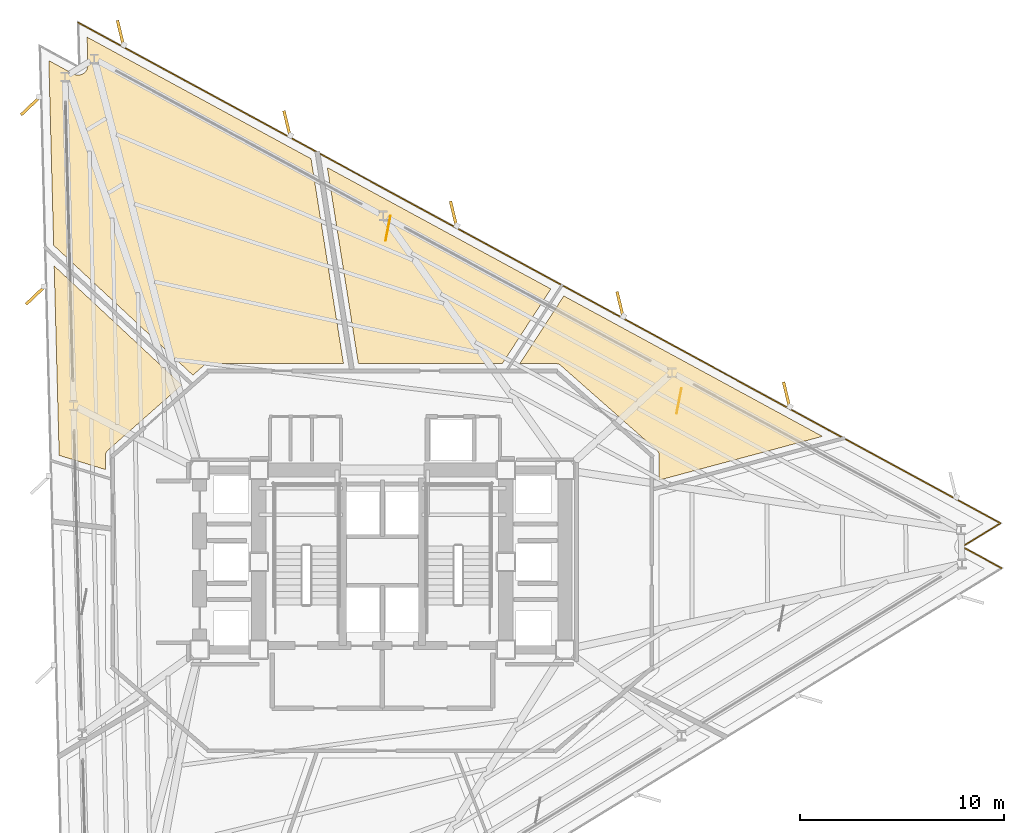
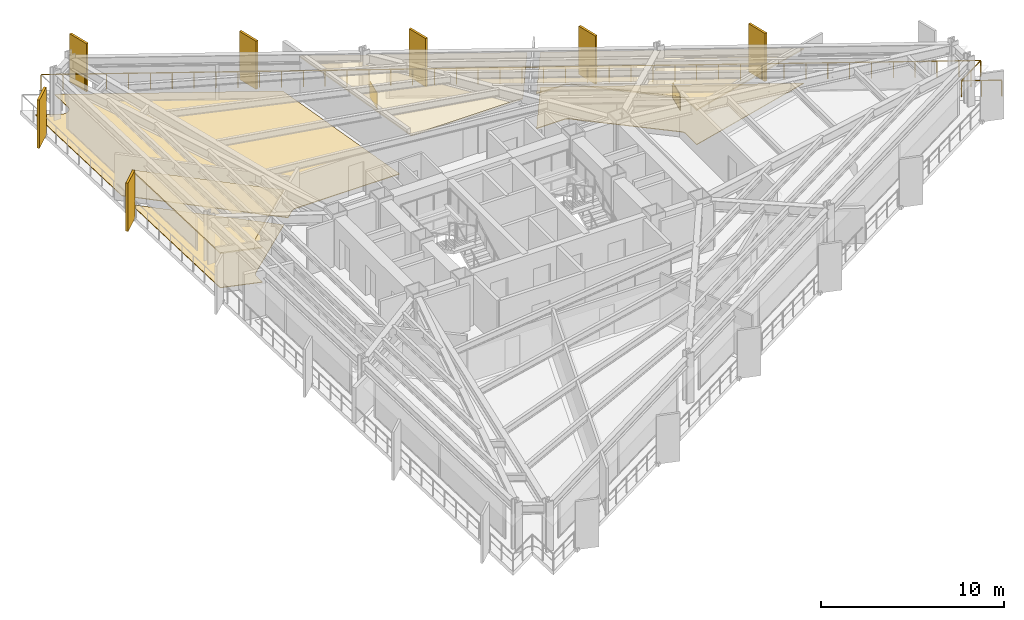
# One storey, part 14 of 14: 8 coverings, 7 shading devices, 1 railing.
"""IFC4 building model written with IfcOpenShell, lengths in metres."""

import ifcopenshell
import ifcopenshell.guid

model = None  # the IFC model being written
_history = None  # IfcOwnerHistory: only IFC2X3 demands one
_inside = {}  # id of a spatial element -> (the spatial element, [elements in it])
_under = {}  # id of a project, library or spatial element -> (it, [spatial elements below it])
_declared = {}  # id of a project -> (the project, [libraries it declares])
_typed = {}  # id of a type object -> (the type object, [elements of that type])
_made_of = {}  # id of a material, layer set ... -> (it, [elements and type objects made of it])


def new_model(schema):
    """Start an empty IFC model of exactly this schema.

    Asked for "IFC4X3", IfcOpenShell would pick the latest addendum, in which some entities
    have other attributes; the version numbers below select the first issue.
    IFC2X3 requires an IfcOwnerHistory on every rooted entity: one is made here for all.
    """
    global model, _history
    if schema == "IFC4X3":
        model = ifcopenshell.file(schema_version=(4, 3, 0, 0))
    else:
        model = ifcopenshell.file(schema=schema)
    _inside.clear()
    _under.clear()
    _declared.clear()
    _typed.clear()
    _made_of.clear()
    _history = None
    if model.schema == "IFC2X3":
        org = make("IfcOrganization", Name="unknown")
        user = make(
            "IfcPersonAndOrganization",
            ThePerson=make("IfcPerson", FamilyName="unknown"),
            TheOrganization=org,
        )
        app = make(
            "IfcApplication",
            ApplicationDeveloper=org,
            Version="unknown",
            ApplicationFullName="unknown",
            ApplicationIdentifier="unknown",
        )
        _history = make(
            "IfcOwnerHistory",
            OwningUser=user,
            OwningApplication=app,
            ChangeAction="ADDED",
            CreationDate=0,
        )
    return model


def make(cls, **values):
    """One entity of the class cls with the attributes given. An attribute that is None is left unset."""
    return model.create_entity(
        cls, **{name: value for name, value in values.items() if value is not None}
    )


def rooted(cls, **values):
    """An entity with a GlobalId (a new one), such as an element, a storey or a relation."""
    return make(cls, GlobalId=ifcopenshell.guid.new(), OwnerHistory=_history, **values)


def si_unit(unit_type, name, prefix=None):
    """IfcSIUnit, for example si_unit("LENGTHUNIT", "METRE", prefix="MILLI")."""
    return make("IfcSIUnit", UnitType=unit_type, Prefix=prefix, Name=name)


def assignment(units):
    """IfcUnitAssignment: the units of a project."""
    return None if units is None else make("IfcUnitAssignment", Units=units)


def point(xyz):
    """IfcCartesianPoint."""
    return None if xyz is None else make("IfcCartesianPoint", Coordinates=xyz)


def direction(xyz):
    """IfcDirection."""
    return None if xyz is None else make("IfcDirection", DirectionRatios=xyz)


def frame(location, z_axis=None, x_axis=None):
    """IfcAxis2Placement3D, a coordinate frame: its origin and axes. An axis left out is left unset."""
    return make(
        "IfcAxis2Placement3D",
        Location=point(location),
        Axis=direction(z_axis),
        RefDirection=direction(x_axis),
    )


def frame_2d(location, x_axis=None):
    """IfcAxis2Placement2D, a coordinate frame in the plane: its origin and x axis."""
    return make(
        "IfcAxis2Placement2D", Location=point(location), RefDirection=direction(x_axis)
    )


def origin():
    """The frame at (0, 0, 0) with its axes left unset."""
    return frame((0.0, 0.0, 0.0))


def origin_2d():
    """The frame at (0, 0) in the plane with its x axis left unset."""
    return frame_2d((0.0, 0.0))


def place(relative_to, where):
    """IfcLocalPlacement: puts the frame where relative to a parent placement (None: the world)."""
    return make(
        "IfcLocalPlacement", PlacementRelTo=relative_to, RelativePlacement=where
    )


def context(
    kind, dimensions, precision=None, world=None, true_north=None, identifier=None
):
    """IfcGeometricRepresentationContext, for example the 3D "Model" context."""
    return make(
        "IfcGeometricRepresentationContext",
        ContextIdentifier=identifier,
        ContextType=kind,
        CoordinateSpaceDimension=dimensions,
        Precision=precision,
        WorldCoordinateSystem=world,
        TrueNorth=true_north,
    )


def subcontext(parent, identifier, kind, view, scale=None):
    """IfcGeometricRepresentationSubContext, for example "Body" below "Model"."""
    return make(
        "IfcGeometricRepresentationSubContext",
        ContextIdentifier=identifier,
        ContextType=kind,
        ParentContext=parent,
        TargetScale=scale,
        TargetView=view,
    )


def project(units=None, contexts=None):
    """IfcProject with its units and contexts."""
    return rooted(
        "IfcProject",
        Name="project",
        RepresentationContexts=contexts,
        UnitsInContext=assignment(units),
    )


def spatial(cls, under=None, at=None, **own):
    """A site, building, storey or space (cls), placed at a placement, below another one or the project."""
    s = rooted(cls, ObjectPlacement=at, **own)
    if under is not None:
        _under.setdefault(under.id(), (under, []))[1].append(s)
    return s


def polyline(points):
    """IfcPolyline through the points."""
    return make("IfcPolyline", Points=[point(p) for p in points])


def profile(cls, at=None, kind="AREA", **sizes):
    """A parametric profile (cls). Its sizes go by their IFC names, for example OverallWidth=200.0."""
    return make(cls, ProfileType=kind, Position=at, **sizes)


def rectangle(**sizes):
    """IfcRectangleProfileDef."""
    return profile("IfcRectangleProfileDef", **sizes)


def outline(outer, holes=None, kind="AREA"):
    """IfcArbitraryClosedProfileDef: a profile drawn as a closed curve; with holes, ...WithVoids."""
    if holes is None:
        return make("IfcArbitraryClosedProfileDef", ProfileType=kind, OuterCurve=outer)
    return make(
        "IfcArbitraryProfileDefWithVoids",
        ProfileType=kind,
        OuterCurve=outer,
        InnerCurves=holes,
    )


def extrude(swept, where, along, depth):
    """IfcExtrudedAreaSolid: the profile swept, set in the frame where, extruded along a direction by depth."""
    return make(
        "IfcExtrudedAreaSolid",
        SweptArea=swept,
        Position=where,
        ExtrudedDirection=direction(along),
        Depth=depth,
    )


def shape(context_of_items, identifier, shape_type, items):
    """IfcShapeRepresentation: the items that make up one representation, for example the "Body"."""
    return make(
        "IfcShapeRepresentation",
        ContextOfItems=context_of_items,
        RepresentationIdentifier=identifier,
        RepresentationType=shape_type,
        Items=items,
    )


def material(Name=None, Category=None):
    """IfcMaterial."""
    return make("IfcMaterial", Name=Name, Category=Category)


def layer(
    of_material, thickness, ventilated=None, Name=None, Category=None, Priority=None
):
    """IfcMaterialLayer: one layer of a wall or slab, of a material (None: an air gap)."""
    return make(
        "IfcMaterialLayer",
        Material=of_material,
        LayerThickness=thickness,
        IsVentilated=ventilated,
        Name=Name,
        Category=Category,
        Priority=Priority,
    )


def layer_set(layers, Name=None):
    """IfcMaterialLayerSet."""
    return make("IfcMaterialLayerSet", MaterialLayers=layers, LayerSetName=Name)


def made_of(thing, what):
    """Note that an element or type object is made of a material, layer set ...; save() writes the relation."""
    if what is not None:
        _made_of.setdefault(what.id(), (what, []))[1].append(thing)
    return thing


def type_object(cls, material=None, **own):
    """A type object (cls), such as IfcWallType, which elements share."""
    return made_of(rooted(cls, **own), material)


def element(
    cls,
    number,
    at=None,
    inside=None,
    cuts=None,
    type_object=None,
    material=None,
    context=None,
    identifier="Body",
    shape_type=None,
    held_by="IfcProductDefinitionShape",
    body=None,
    shapes=None,
    **own,
):
    """One element of the class cls, such as IfcWall. Its Tag is "e" and its number.

    at: its placement. inside: the storey or other place that contains it. cuts: it is an
    opening in that element (IfcRelVoidsElement). A single representation is given by context,
    identifier, shape_type and body (its items); several are given by shapes. held_by: the class
    of the entity that holds the representations. save() writes the other relations.
    """
    e = rooted(cls, Tag="e%d" % number, ObjectPlacement=at, **own)
    if body is not None:
        shapes = [shape(context, identifier, shape_type, body)]
    if shapes is not None:
        e.Representation = make(held_by, Representations=shapes)
    if inside is not None:
        _inside.setdefault(inside.id(), (inside, []))[1].append(e)
    if cuts is not None:
        rooted(
            "IfcRelVoidsElement", RelatingBuildingElement=cuts, RelatedOpeningElement=e
        )
    if type_object is not None:
        _typed.setdefault(type_object.id(), (type_object, []))[1].append(e)
    return made_of(e, material)


def aggregate(whole, parts):
    """IfcRelAggregates: a whole, such as a stair, and the parts it consists of."""
    return rooted("IfcRelAggregates", RelatingObject=whole, RelatedObjects=parts)


def save(model, path):
    """Write the relations noted so far, then the file.

    IfcRelAggregates (storeys below a building ...), IfcRelContainedInSpatialStructure (elements
    in a storey), IfcRelDefinesByType, IfcRelAssociatesMaterial and IfcRelDeclares: one each for
    every whole, place, type object, material and project.
    """
    for whole, parts in _under.values():
        aggregate(whole, parts)
    for where, things in _inside.values():
        rooted(
            "IfcRelContainedInSpatialStructure",
            RelatedElements=things,
            RelatingStructure=where,
        )
    for kind, things in _typed.values():
        rooted("IfcRelDefinesByType", RelatedObjects=things, RelatingType=kind)
    for what, things in _made_of.values():
        rooted("IfcRelAssociatesMaterial", RelatedObjects=things, RelatingMaterial=what)
    for by, libraries in _declared.values():
        rooted("IfcRelDeclares", RelatingContext=by, RelatedDefinitions=libraries)
    model.write(path)


model = new_model("IFC4")

# Units and contexts
model_context = context("Model", 3, precision=1e-05, world=origin(), true_north=direction((0.0, 1.0)))
body_context = subcontext(model_context, "Body", "Model", "MODEL_VIEW")
ifc_project = project(units=[si_unit("LENGTHUNIT", "METRE"), si_unit("AREAUNIT", "SQUARE_METRE"), si_unit("VOLUMEUNIT", "CUBIC_METRE"), si_unit("PLANEANGLEUNIT", "RADIAN"), si_unit("MASSUNIT", "GRAM", prefix="KILO")], contexts=[model_context])

# Site, building, storey
site_placement = place(None, origin())
site = spatial("IfcSite", under=ifc_project, at=site_placement, CompositionType="ELEMENT")
building_placement = place(site_placement, origin())
building = spatial("IfcBuilding", under=site, at=building_placement, Name="Rocaltana Carrier Exchange", CompositionType="ELEMENT")
storey_placement = place(building_placement, frame((0.0, 0.0, 28.9599609375)))
storey = spatial("IfcBuildingStorey", under=building, at=storey_placement, Name="L09", CompositionType="ELEMENT", Elevation=28.9599609375)

# Coverings
ifc_material_1 = material(Name="Honed Bogota Sandstone Tile", Category="masonry")
ifc_layer_1 = layer(ifc_material_1, 0.0400390625)
ifc_layer_set_1 = layer_set([ifc_layer_1], Name="Honed Bogota Sandstone Tile")
covering_type_1 = type_object("IfcCoveringType", Name="Honed Stone Lobby Flooring 40", PredefinedType="FLOORING", material=ifc_layer_set_1)
covering_1_placement = place(storey_placement, origin())
element("IfcCovering", 1, at=covering_1_placement, inside=storey, type_object=covering_type_1, Name="L09 Peering Conference Room Finish Floor", PredefinedType="FLOORING", context=body_context, shape_type="SweptSolid", body=[
    extrude(outline(polyline([(21.55126953125, 6.1474609375), (13.56005859375, 4.006103515625), (13.56005859375, 5.199951171875), (13.559814453125, 5.213134765625), (13.559326171875, 5.220703125), (13.556884765625, 5.246826171875), (13.555908203125, 5.25439453125), (13.55078125, 5.2802734375), (13.549072265625, 5.28759765625), (13.541748046875, 5.31298828125), (13.539306640625, 5.320068359375), (13.529541015625, 5.344482421875), (13.526611328125, 5.351318359375), (13.5146484375, 5.375), (13.5107421875, 5.38134765625), (13.49658203125, 5.40380859375), (13.492431640625, 5.409912109375), (13.476318359375, 5.4306640625), (13.471435546875, 5.436279296875), (13.453369140625, 5.455810546875), (13.447998046875, 5.4609375), (13.438232421875, 5.469970703125), (8.73828125, 9.619873046875), (8.727294921875, 9.629150390625), (8.720703125, 9.63427734375), (8.697265625, 9.651123046875), (8.690185546875, 9.655517578125), (8.6650390625, 9.669921875), (8.65771484375, 9.673583984375), (8.631103515625, 9.68505859375), (8.62353515625, 9.68798828125), (8.595947265625, 9.697021484375), (8.587890625, 9.698974609375), (8.5595703125, 9.704833984375), (8.551513671875, 9.706298828125), (8.522705078125, 9.709228515625), (8.514404296875, 9.709716796875), (8.5, 9.7099609375), (6.735107421875, 9.7099609375), (8.886962890625, 13.023681640625), (21.55126953125, 6.1474609375)])), origin(), (0.0, 0.0, 1.0), 0.0400390625),
])
covering_2_placement = place(storey_placement, origin())
element("IfcCovering", 2, at=covering_2_placement, inside=storey, type_object=covering_type_1, Name="L09 Incident Briefing Room Finish Floor", PredefinedType="FLOORING", context=body_context, shape_type="SweptSolid", body=[
    extrude(outline(polyline([(-16.333984375, 24.54931640625), (-15.131103515625, 23.896484375), (-15.118896484375, 23.889892578125), (-15.100830078125, 23.88134765625), (-15.0751953125, 23.87060546875), (-15.056396484375, 23.86376953125), (-15.02978515625, 23.855712890625), (-15.01025390625, 23.8505859375), (-14.98291015625, 23.84521484375), (-14.96337890625, 23.84228515625), (-14.935546875, 23.839599609375), (-14.91552734375, 23.83837890625), (-14.8876953125, 23.838623046875), (-14.86767578125, 23.839599609375), (-14.840087890625, 23.84228515625), (-14.8203125, 23.845458984375), (-14.79296875, 23.85107421875), (-14.773681640625, 23.85595703125), (-14.746826171875, 23.8642578125), (-14.728271484375, 23.87109375), (-14.702392578125, 23.8818359375), (-14.6845703125, 23.890625), (-14.659912109375, 23.90380859375), (-14.64306640625, 23.914306640625), (-14.6201171875, 23.93017578125), (-14.60400390625, 23.942138671875), (-14.582763671875, 23.960205078125), (-14.568115234375, 23.9736328125), (-14.548583984375, 23.99365234375), (-14.535400390625, 24.0087890625), (-14.51806640625, 24.030517578125), (-14.506591796875, 24.046630859375), (-14.491455078125, 24.0703125), (-14.4814453125, 24.08740234375), (-14.46875, 24.1123046875), (-14.460693359375, 24.130615234375), (-14.450439453125, 24.156494140625), (-14.444091796875, 24.17529296875), (-14.4365234375, 24.202392578125), (-14.43212890625, 24.2216796875), (-14.42724609375, 24.249267578125), (-14.4248046875, 24.26904296875), (-14.4228515625, 24.296875), (-14.42236328125, 24.31689453125), (-14.42236328125, 24.330810546875), (-14.458251953125, 25.698974609375), (-3.49169921875, 19.74462890625), (-1.90234375, 9.7099609375), (-8.5, 9.7099609375), (-8.514404296875, 9.709716796875), (-8.522705078125, 9.709228515625), (-8.551513671875, 9.706298828125), (-8.5595703125, 9.704833984375), (-8.587890625, 9.698974609375), (-8.595947265625, 9.697021484375), (-8.62353515625, 9.68798828125), (-8.631103515625, 9.68505859375), (-8.65771484375, 9.673583984375), (-8.6650390625, 9.669921875), (-8.690185546875, 9.655517578125), (-8.697265625, 9.651123046875), (-8.720703125, 9.63427734375), (-8.727294921875, 9.629150390625), (-8.73828125, 9.619873046875), (-9.277587890625, 9.143798828125), (-16.09716796875, 15.5029296875), (-16.333984375, 24.54931640625)])), origin(), (0.0, 0.0, 1.0), 0.0400390625),
])
covering_3_placement = place(storey_placement, origin())
element("IfcCovering", 3, at=covering_3_placement, inside=storey, type_object=covering_type_1, Name="L09 Carrier Peering Suite Finish Floor", PredefinedType="FLOORING", context=body_context, shape_type="SweptSolid", body=[
    extrude(outline(polyline([(-16.07080078125, 14.493896484375), (-9.81982421875, 8.664794921875), (-13.438232421875, 5.469970703125), (-13.447998046875, 5.4609375), (-13.453369140625, 5.455810546875), (-13.471435546875, 5.436279296875), (-13.476318359375, 5.4306640625), (-13.492431640625, 5.409912109375), (-13.49658203125, 5.40380859375), (-13.5107421875, 5.38134765625), (-13.5146484375, 5.375), (-13.526611328125, 5.351318359375), (-13.529541015625, 5.344482421875), (-13.539306640625, 5.320068359375), (-13.541748046875, 5.31298828125), (-13.549072265625, 5.28759765625), (-13.55078125, 5.2802734375), (-13.555908203125, 5.25439453125), (-13.556884765625, 5.246826171875), (-13.559326171875, 5.220703125), (-13.559814453125, 5.213134765625), (-13.56005859375, 5.199951171875), (-13.56005859375, 4.522216796875), (-15.82763671875, 5.215576171875), (-16.07080078125, 14.493896484375)])), origin(), (0.0, 0.0, 1.0), 0.0400390625),
])
ifc_material_2 = material(Name="Anodised Aluminium 6063-T6", Category="aluminium")
ifc_layer_2 = layer(ifc_material_2, 0.0849609375)
ifc_layer_set_2 = layer_set([ifc_layer_2], Name="Anodised Aluminium 6063-T6")
covering_type_2 = type_object("IfcCoveringType", Name="Linear Baffle Acoustic Ceiling 85", PredefinedType="CEILING", material=ifc_layer_set_2)
covering_4_placement = place(storey_placement, frame((0.0, 0.0, 2.282958984375)))
element("IfcCovering", 4, at=covering_4_placement, inside=storey, type_object=covering_type_2, Name="L09 Peering Conference Room Acoustic Ceiling", PredefinedType="CEILING", context=body_context, shape_type="SweptSolid", body=[
    extrude(outline(polyline([(21.55126953125, 6.1474609375), (13.56005859375, 4.006103515625), (13.56005859375, 5.199951171875), (13.559814453125, 5.213134765625), (13.559326171875, 5.220703125), (13.556884765625, 5.246826171875), (13.555908203125, 5.25439453125), (13.55078125, 5.2802734375), (13.549072265625, 5.28759765625), (13.541748046875, 5.31298828125), (13.539306640625, 5.320068359375), (13.529541015625, 5.344482421875), (13.526611328125, 5.351318359375), (13.5146484375, 5.375), (13.5107421875, 5.38134765625), (13.49658203125, 5.40380859375), (13.492431640625, 5.409912109375), (13.476318359375, 5.4306640625), (13.471435546875, 5.436279296875), (13.453369140625, 5.455810546875), (13.447998046875, 5.4609375), (13.438232421875, 5.469970703125), (8.73828125, 9.619873046875), (8.727294921875, 9.629150390625), (8.720703125, 9.63427734375), (8.697265625, 9.651123046875), (8.690185546875, 9.655517578125), (8.6650390625, 9.669921875), (8.65771484375, 9.673583984375), (8.631103515625, 9.68505859375), (8.62353515625, 9.68798828125), (8.595947265625, 9.697021484375), (8.587890625, 9.698974609375), (8.5595703125, 9.704833984375), (8.551513671875, 9.706298828125), (8.522705078125, 9.709228515625), (8.514404296875, 9.709716796875), (8.5, 9.7099609375), (6.735107421875, 9.7099609375), (8.886962890625, 13.023681640625), (21.55126953125, 6.1474609375)])), origin(), (0.0, 0.0, 1.0), 0.0849609375),
])
covering_5_placement = place(storey_placement, frame((0.0, 0.0, 2.282958984375)))
element("IfcCovering", 5, at=covering_5_placement, inside=storey, type_object=covering_type_2, Name="L09 Quiet Focus Lounge Acoustic Ceiling", PredefinedType="CEILING", context=body_context, shape_type="SweptSolid", body=[
    extrude(outline(polyline([(8.252197265625, 13.3681640625), (5.87646484375, 9.7099609375), (-1.17333984375, 9.7099609375), (-2.694091796875, 19.3115234375), (8.252197265625, 13.3681640625)])), origin(), (0.0, 0.0, 1.0), 0.0849609375),
])
covering_6_placement = place(storey_placement, frame((0.0, 0.0, 2.282958984375)))
element("IfcCovering", 6, at=covering_6_placement, inside=storey, type_object=covering_type_2, Name="L09 Carrier Peering Suite Acoustic Ceiling", PredefinedType="CEILING", context=body_context, shape_type="SweptSolid", body=[
    extrude(outline(polyline([(-16.07080078125, 14.493896484375), (-9.81982421875, 8.664794921875), (-13.438232421875, 5.469970703125), (-13.447998046875, 5.4609375), (-13.453369140625, 5.455810546875), (-13.471435546875, 5.436279296875), (-13.476318359375, 5.4306640625), (-13.492431640625, 5.409912109375), (-13.49658203125, 5.40380859375), (-13.5107421875, 5.38134765625), (-13.5146484375, 5.375), (-13.526611328125, 5.351318359375), (-13.529541015625, 5.344482421875), (-13.539306640625, 5.320068359375), (-13.541748046875, 5.31298828125), (-13.549072265625, 5.28759765625), (-13.55078125, 5.2802734375), (-13.555908203125, 5.25439453125), (-13.556884765625, 5.246826171875), (-13.559326171875, 5.220703125), (-13.559814453125, 5.213134765625), (-13.56005859375, 5.199951171875), (-13.56005859375, 4.522216796875), (-15.82763671875, 5.215576171875), (-16.07080078125, 14.493896484375)])), origin(), (0.0, 0.0, 1.0), 0.0849609375),
])
ifc_material_3 = material(Name="Honed Piedra Muneca Sandstone", Category="masonry")
ifc_layer_3 = layer(ifc_material_3, 0.034912109375)
ifc_layer_set_3 = layer_set([ifc_layer_3], Name="Honed Piedra Muneca Sandstone")
covering_type_3 = type_object("IfcCoveringType", Name="Stone Facade Cladding 35", PredefinedType="CLADDING", material=ifc_layer_set_3)
for number, where, z_axis, x_axis, name in (
    (7, (14.529052734375, 7.883544921875, 0.0), (0.0, 0.0, 1.0), (0.190808995377, 0.981627183448, 0.0), "L09 Stone Facade Cladding Panel 6"),
    (8, (0.277587890625, 16.33984375, 0.0), (0.0, 0.0, 1.0), (0.190808995377, 0.981627183448, 0.0), "L09 Stone Facade Cladding Panel 7"),
):
    element("IfcCovering", number, at=place(storey_placement, frame(where, z_axis=z_axis, x_axis=x_axis)), inside=storey, type_object=covering_type_3, Name=name, PredefinedType="CLADDING", context=body_context, shape_type="SweptSolid", body=[
        extrude(rectangle(XDim=1.25, YDim=0.034912109375, at=origin_2d()), origin(), (0.0, 0.0, 1.0), 1.050048828125),
    ])

# Shading devices
ifc_material_4 = material(Name="Honed Bogota Sandstone & Concrete C45/55", Category="masonry")
ifc_layer_4 = layer(ifc_material_4, 0.139892578125)
ifc_layer_set_4 = layer_set([ifc_layer_4], Name="Honed Bogota Sandstone & Concrete C45/55")
shading_device_type = type_object("IfcShadingDeviceType", Name="Vertical Sandstone Shading Fin 1320x140", PredefinedType="USERDEFINED", material=ifc_layer_set_4)
for number, where, z_axis, x_axis, name in (
    (9, (19.802001953125, 8.16748046875, -0.1201171875), (0.0, 0.0, 1.0), (-0.233445363856, 0.972369920398, 0.0), "L09 Sandstone Vertical Fin F1-02"),
    (10, (11.646484375, 12.595703125, -0.1201171875), (0.0, 0.0, 1.0), (-0.233445363856, 0.972369920398, 0.0), "L09 Sandstone Vertical Fin F1-03"),
    (11, (3.4912109375, 17.023681640625, -0.1201171875), (0.0, 0.0, 1.0), (-0.233445363856, 0.972369920398, 0.0), "L09 Sandstone Vertical Fin F1-04"),
    (12, (-4.664306640625, 21.45166015625, -0.1201171875), (0.0, 0.0, 1.0), (-0.233445363856, 0.972369920398, 0.0), "L09 Sandstone Vertical Fin F1-05"),
    (13, (-12.819580078125, 25.879638671875, -0.1201171875), (0.0, 0.0, 1.0), (-0.233445363856, 0.972369920398, 0.0), "L09 Sandstone Vertical Fin F1-06"),
    (14, (-17.21728515625, 22.342041015625, -0.1201171875), (0.0, 0.0, 1.0), (-0.725374371012, -0.688354575694, 0.0), "L09 Sandstone Vertical Fin F2-01"),
    (15, (-16.974365234375, 13.065185546875, -0.1201171875), (0.0, 0.0, 1.0), (-0.725374371012, -0.688354575694, 0.0), "L09 Sandstone Vertical Fin F2-02"),
):
    element("IfcShadingDevice", number, at=place(storey_placement, frame(where, z_axis=z_axis, x_axis=x_axis)), inside=storey, type_object=shading_device_type, Name=name, ObjectType="FIN", PredefinedType="USERDEFINED", context=body_context, shape_type="SweptSolid", body=[
        extrude(rectangle(XDim=1.320068359375, YDim=0.139892578125, at=origin_2d()), origin(), (0.0, 0.0, 1.0), 3.218017578125),
    ])

# Railing
ifc_material_5 = material(Name="Powder-Coated Aluminium 6063-T6", Category="aluminium")
ifc_layer_5 = layer(ifc_material_5, 0.06005859375)
ifc_layer_set_5 = layer_set([ifc_layer_5], Name="Powder-Coated Aluminium 6063-T6")
railing_type = type_object("IfcRailingType", Name="Wind-Floor & Terrace Perimeter Guardrail 1100", PredefinedType="GUARDRAIL", material=ifc_layer_set_5)
railing_placement = place(storey_placement, frame((-14.897216796875, 26.415283203125, 0.0)))
element("IfcRailing", 16, at=railing_placement, inside=storey, type_object=railing_type, Name="L09 Perimeter Balcony Guardrail 3", PredefinedType="GUARDRAIL", context=body_context, shape_type="SweptSolid", body=[
    extrude(rectangle(XDim=0.048095703125, YDim=0.048095703125, at=origin_2d()), frame((0.0, 0.0, 1.076171875), z_axis=(0.878817120119, -0.477158746526, 0.0), x_axis=(0.477158746526, 0.878817120119, 0.0)), (0.0, 0.0, 1.0), 51.39208984375),
    extrude(rectangle(XDim=0.048095703125, YDim=0.048095703125, at=origin_2d()), frame((45.164306640625, -24.522216796875, 1.076171875), z_axis=(-0.852598062579, -0.522567262356, 0.0), x_axis=(0.522567262356, -0.852598062579, 0.0)), (0.0, 0.0, 1.0), 2.199951171875),
    extrude(rectangle(XDim=0.048095703125, YDim=0.048095703125, at=origin_2d()), frame((43.28857421875, -25.671875, 1.076171875), z_axis=(0.878801578058, -0.477187370331, 0.0), x_axis=(0.477187370331, 0.878801578058, 0.0)), (0.0, 0.0, 1.0), 2.199951171875),
    extrude(rectangle(XDim=0.0419921875, YDim=0.0419921875, at=origin_2d()), origin(), (0.0, 0.0, 1.0), 1.052001953125),
    extrude(rectangle(XDim=0.0419921875, YDim=0.0419921875, at=origin_2d()), frame((1.05029296875, -0.5703125, 0.0)), (0.0, 0.0, 1.0), 1.052001953125),
    extrude(rectangle(XDim=0.0419921875, YDim=0.0419921875, at=origin_2d()), frame((2.1005859375, -1.140625, 0.0)), (0.0, 0.0, 1.0), 1.052001953125),
    extrude(rectangle(XDim=0.0419921875, YDim=0.0419921875, at=origin_2d()), frame((3.15087890625, -1.7109375, 0.0)), (0.0, 0.0, 1.0), 1.052001953125),
    extrude(rectangle(XDim=0.0419921875, YDim=0.0419921875, at=origin_2d()), frame((4.201416015625, -2.28125, 0.0)), (0.0, 0.0, 1.0), 1.052001953125),
    extrude(rectangle(XDim=0.0419921875, YDim=0.0419921875, at=origin_2d()), frame((5.251708984375, -2.851318359375, 0.0)), (0.0, 0.0, 1.0), 1.052001953125),
    extrude(rectangle(XDim=0.0419921875, YDim=0.0419921875, at=origin_2d()), frame((6.302001953125, -3.421630859375, 0.0)), (0.0, 0.0, 1.0), 1.052001953125),
    extrude(rectangle(XDim=0.0419921875, YDim=0.0419921875, at=origin_2d()), frame((7.352294921875, -3.991943359375, 0.0)), (0.0, 0.0, 1.0), 1.052001953125),
    extrude(rectangle(XDim=0.0419921875, YDim=0.0419921875, at=origin_2d()), frame((8.402587890625, -4.562255859375, 0.0)), (0.0, 0.0, 1.0), 1.052001953125),
    extrude(rectangle(XDim=0.0419921875, YDim=0.0419921875, at=origin_2d()), frame((9.452880859375, -5.132568359375, 0.0)), (0.0, 0.0, 1.0), 1.052001953125),
    extrude(rectangle(XDim=0.0419921875, YDim=0.0419921875, at=origin_2d()), frame((10.50341796875, -5.702880859375, 0.0)), (0.0, 0.0, 1.0), 1.052001953125),
    extrude(rectangle(XDim=0.0419921875, YDim=0.0419921875, at=origin_2d()), frame((11.5537109375, -6.273193359375, 0.0)), (0.0, 0.0, 1.0), 1.052001953125),
    extrude(rectangle(XDim=0.0419921875, YDim=0.0419921875, at=origin_2d()), frame((12.60400390625, -6.843505859375, 0.0)), (0.0, 0.0, 1.0), 1.052001953125),
    extrude(rectangle(XDim=0.0419921875, YDim=0.0419921875, at=origin_2d()), frame((13.654296875, -7.41357421875, 0.0)), (0.0, 0.0, 1.0), 1.052001953125),
    extrude(rectangle(XDim=0.0419921875, YDim=0.0419921875, at=origin_2d()), frame((14.70458984375, -7.98388671875, 0.0)), (0.0, 0.0, 1.0), 1.052001953125),
    extrude(rectangle(XDim=0.0419921875, YDim=0.0419921875, at=origin_2d()), frame((15.7548828125, -8.55419921875, 0.0)), (0.0, 0.0, 1.0), 1.052001953125),
    extrude(rectangle(XDim=0.0419921875, YDim=0.0419921875, at=origin_2d()), frame((16.805419921875, -9.12451171875, 0.0)), (0.0, 0.0, 1.0), 1.052001953125),
    extrude(rectangle(XDim=0.0419921875, YDim=0.0419921875, at=origin_2d()), frame((17.855712890625, -9.69482421875, 0.0)), (0.0, 0.0, 1.0), 1.052001953125),
    extrude(rectangle(XDim=0.0419921875, YDim=0.0419921875, at=origin_2d()), frame((18.906005859375, -10.26513671875, 0.0)), (0.0, 0.0, 1.0), 1.052001953125),
    extrude(rectangle(XDim=0.0419921875, YDim=0.0419921875, at=origin_2d()), frame((19.956298828125, -10.83544921875, 0.0)), (0.0, 0.0, 1.0), 1.052001953125),
    extrude(rectangle(XDim=0.0419921875, YDim=0.0419921875, at=origin_2d()), frame((21.006591796875, -11.40576171875, 0.0)), (0.0, 0.0, 1.0), 1.052001953125),
    extrude(rectangle(XDim=0.0419921875, YDim=0.0419921875, at=origin_2d()), frame((22.056884765625, -11.97607421875, 0.0)), (0.0, 0.0, 1.0), 1.052001953125),
    extrude(rectangle(XDim=0.0419921875, YDim=0.0419921875, at=origin_2d()), frame((23.107421875, -12.546142578125, 0.0)), (0.0, 0.0, 1.0), 1.052001953125),
    extrude(rectangle(XDim=0.0419921875, YDim=0.0419921875, at=origin_2d()), frame((24.15771484375, -13.116455078125, 0.0)), (0.0, 0.0, 1.0), 1.052001953125),
    extrude(rectangle(XDim=0.0419921875, YDim=0.0419921875, at=origin_2d()), frame((25.2080078125, -13.686767578125, 0.0)), (0.0, 0.0, 1.0), 1.052001953125),
    extrude(rectangle(XDim=0.0419921875, YDim=0.0419921875, at=origin_2d()), frame((26.25830078125, -14.257080078125, 0.0)), (0.0, 0.0, 1.0), 1.052001953125),
    extrude(rectangle(XDim=0.0419921875, YDim=0.0419921875, at=origin_2d()), frame((27.30859375, -14.827392578125, 0.0)), (0.0, 0.0, 1.0), 1.052001953125),
    extrude(rectangle(XDim=0.0419921875, YDim=0.0419921875, at=origin_2d()), frame((28.35888671875, -15.397705078125, 0.0)), (0.0, 0.0, 1.0), 1.052001953125),
    extrude(rectangle(XDim=0.0419921875, YDim=0.0419921875, at=origin_2d()), frame((29.409423828125, -15.968017578125, 0.0)), (0.0, 0.0, 1.0), 1.052001953125),
    extrude(rectangle(XDim=0.0419921875, YDim=0.0419921875, at=origin_2d()), frame((30.459716796875, -16.538330078125, 0.0)), (0.0, 0.0, 1.0), 1.052001953125),
    extrude(rectangle(XDim=0.0419921875, YDim=0.0419921875, at=origin_2d()), frame((31.510009765625, -17.108642578125, 0.0)), (0.0, 0.0, 1.0), 1.052001953125),
    extrude(rectangle(XDim=0.0419921875, YDim=0.0419921875, at=origin_2d()), frame((32.560302734375, -17.6787109375, 0.0)), (0.0, 0.0, 1.0), 1.052001953125),
    extrude(rectangle(XDim=0.0419921875, YDim=0.0419921875, at=origin_2d()), frame((33.610595703125, -18.2490234375, 0.0)), (0.0, 0.0, 1.0), 1.052001953125),
    extrude(rectangle(XDim=0.0419921875, YDim=0.0419921875, at=origin_2d()), frame((34.660888671875, -18.8193359375, 0.0)), (0.0, 0.0, 1.0), 1.052001953125),
    extrude(rectangle(XDim=0.0419921875, YDim=0.0419921875, at=origin_2d()), frame((35.71142578125, -19.3896484375, 0.0)), (0.0, 0.0, 1.0), 1.052001953125),
    extrude(rectangle(XDim=0.0419921875, YDim=0.0419921875, at=origin_2d()), frame((36.76171875, -19.9599609375, 0.0)), (0.0, 0.0, 1.0), 1.052001953125),
    extrude(rectangle(XDim=0.0419921875, YDim=0.0419921875, at=origin_2d()), frame((37.81201171875, -20.5302734375, 0.0)), (0.0, 0.0, 1.0), 1.052001953125),
    extrude(rectangle(XDim=0.0419921875, YDim=0.0419921875, at=origin_2d()), frame((38.8623046875, -21.1005859375, 0.0)), (0.0, 0.0, 1.0), 1.052001953125),
    extrude(rectangle(XDim=0.0419921875, YDim=0.0419921875, at=origin_2d()), frame((39.91259765625, -21.6708984375, 0.0)), (0.0, 0.0, 1.0), 1.052001953125),
    extrude(rectangle(XDim=0.0419921875, YDim=0.0419921875, at=origin_2d()), frame((40.962890625, -22.240966796875, 0.0)), (0.0, 0.0, 1.0), 1.052001953125),
    extrude(rectangle(XDim=0.0419921875, YDim=0.0419921875, at=origin_2d()), frame((42.013427734375, -22.811279296875, 0.0)), (0.0, 0.0, 1.0), 1.052001953125),
    extrude(rectangle(XDim=0.0419921875, YDim=0.0419921875, at=origin_2d()), frame((43.063720703125, -23.381591796875, 0.0)), (0.0, 0.0, 1.0), 1.052001953125),
    extrude(rectangle(XDim=0.0419921875, YDim=0.0419921875, at=origin_2d()), frame((44.114013671875, -23.951904296875, 0.0)), (0.0, 0.0, 1.0), 1.052001953125),
    extrude(rectangle(XDim=0.0419921875, YDim=0.0419921875, at=origin_2d()), frame((45.164306640625, -24.522216796875, 0.0)), (0.0, 0.0, 1.0), 1.052001953125),
    extrude(rectangle(XDim=0.0419921875, YDim=0.0419921875, at=origin_2d()), frame((44.2265625, -25.09716796875, 0.0)), (0.0, 0.0, 1.0), 1.052001953125),
    extrude(rectangle(XDim=0.0419921875, YDim=0.0419921875, at=origin_2d()), frame((43.28857421875, -25.671875, 0.0)), (0.0, 0.0, 1.0), 1.052001953125),
    extrude(rectangle(XDim=0.0419921875, YDim=0.0419921875, at=origin_2d()), frame((44.25537109375, -26.19677734375, 0.0)), (0.0, 0.0, 1.0), 1.052001953125),
    extrude(rectangle(XDim=0.0419921875, YDim=0.0419921875, at=origin_2d()), frame((45.221923828125, -26.7216796875, 0.0)), (0.0, 0.0, 1.0), 1.052001953125),
])

save(model, "model.ifc")
